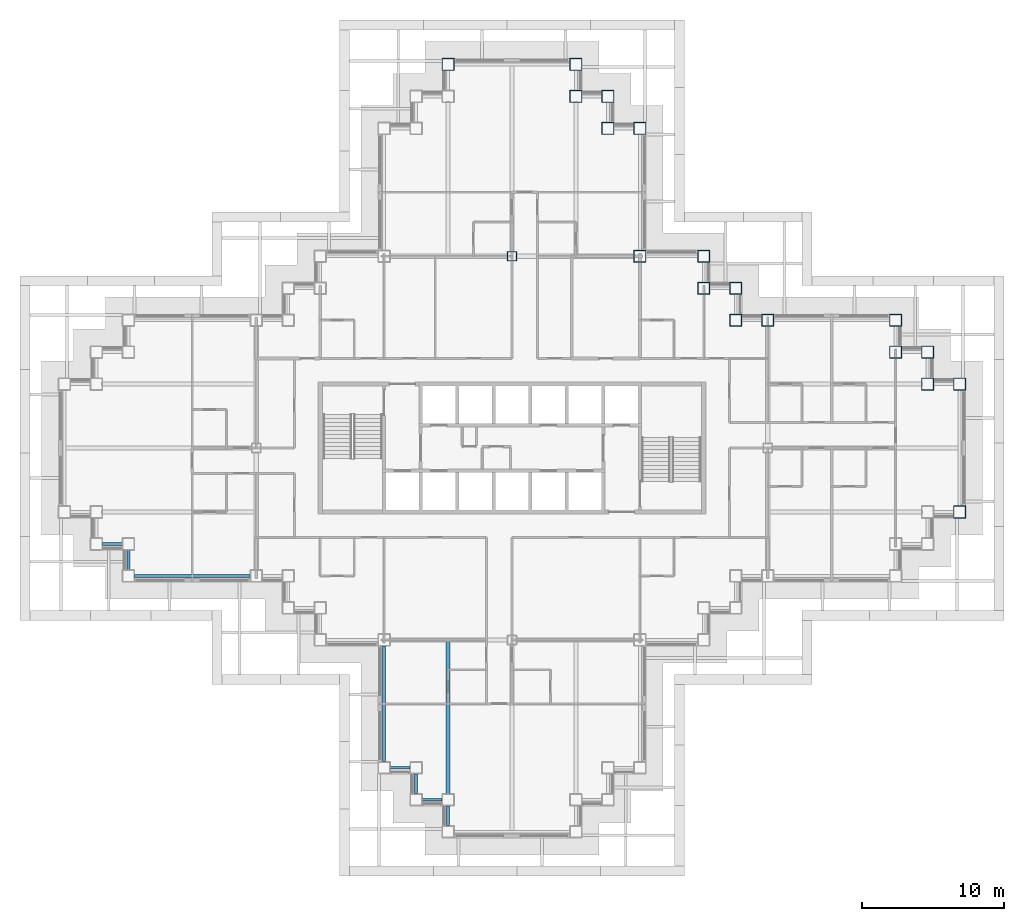
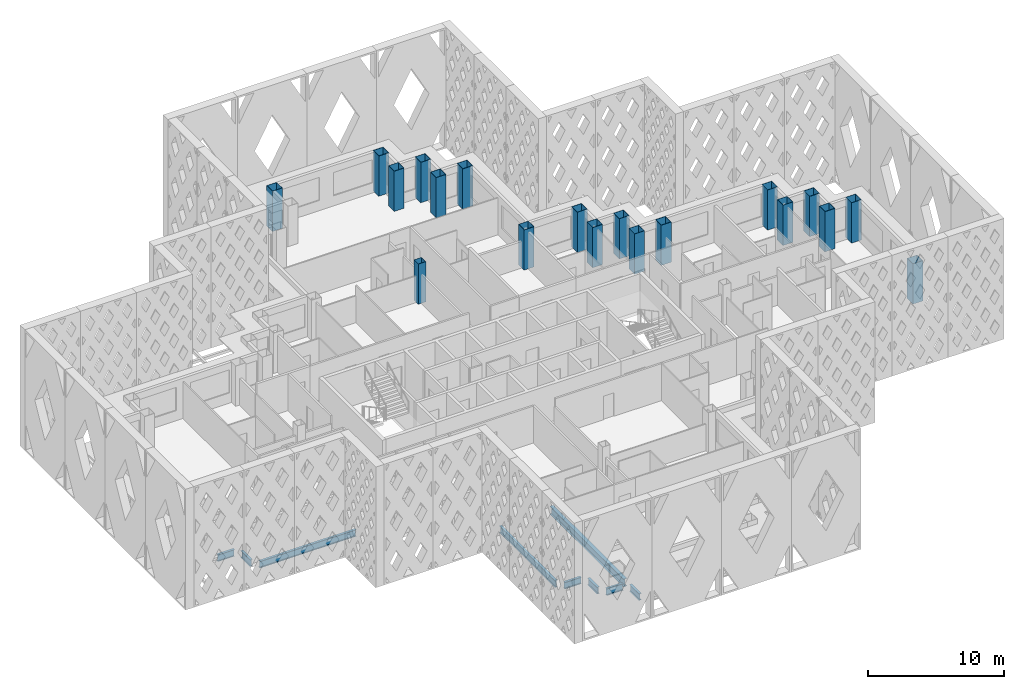
# One storey, part 2 of 21: 19 columns, 9 beams.
"""IFC4 building model written with IfcOpenShell, lengths in metres."""

from ifc_helpers import new_model, si_unit, direction, frame, origin, origin_2d, place, context, subcontext, project, spatial, hollow_rectangle, i_section, extrude, material, material_profile, profile_set, type_object, element, save


model = new_model("IFC4")

# Units and contexts
model_context = context("Model", 3, precision=1e-05, world=origin(), true_north=direction((0.0, 1.0)))
body_context = subcontext(model_context, "Body", "Model", "MODEL_VIEW")
ifc_project = project(units=[si_unit("LENGTHUNIT", "METRE"), si_unit("AREAUNIT", "SQUARE_METRE"), si_unit("VOLUMEUNIT", "CUBIC_METRE"), si_unit("PLANEANGLEUNIT", "RADIAN"), si_unit("MASSUNIT", "GRAM", prefix="KILO")], contexts=[model_context])

# Site, building, storey
site_placement = place(None, origin())
site = spatial("IfcSite", under=ifc_project, at=site_placement, CompositionType="ELEMENT")
building_placement = place(site_placement, origin())
building = spatial("IfcBuilding", under=site, at=building_placement, Name="Caravel Reach Hotel and Residences", CompositionType="ELEMENT")
storey_placement = place(building_placement, frame((0.0, 0.0, 129.60009765625)))
storey = spatial("IfcBuildingStorey", under=building, at=storey_placement, Name="L32", CompositionType="ELEMENT", Elevation=129.60009765625)

# Columns
ifc_material_1 = material(Name="Concrete-filled steel tube Q390B with Concrete C70 infill", Category="concrete")
ifc_material_profile_1 = material_profile(ifc_material_1, hollow_rectangle(XDim=0.64990234375, YDim=0.64990234375, WallThickness=0.02099609375, at=origin_2d()), Name="RHS 650x650x21")
ifc_profile_set_1 = profile_set([ifc_material_profile_1], Name="Concrete-filled steel tube Q390B with Concrete C70 infill")
column_type_1 = type_object("IfcColumnType", Name="CFT 650x650 Q390B C70", PredefinedType="COLUMN", material=ifc_profile_set_1)
column_placement = place(storey_placement, frame((31.5, 40.5, 0.0), z_axis=(0.0, 0.0, 1.0), x_axis=(1.0, 0.0, 0.0)))
element("IfcColumn", 1, at=column_placement, inside=storey, type_object=column_type_1, Name="C17 column", PredefinedType="COLUMN", context=body_context, shape_type="SweptSolid", body=[
    extrude(hollow_rectangle(XDim=0.64990234375, YDim=0.64990234375, WallThickness=0.02099609375, at=origin_2d()), origin(), (0.0, 0.0, 1.0), 3.599853515625),
])
ifc_material_2 = material(Name="Concrete-filled steel tube Q390B with Concrete C70 infill", Category="concrete")
ifc_material_profile_2 = material_profile(ifc_material_2, hollow_rectangle(XDim=0.85009765625, YDim=0.85009765625, WallThickness=0.02587890625, at=origin_2d()), Name="RHS 850x850x26")
ifc_profile_set_2 = profile_set([ifc_material_profile_2], Name="Concrete-filled steel tube Q390B with Concrete C70 infill")
column_type_2 = type_object("IfcColumnType", Name="CFT 850x850 Q390B C70", PredefinedType="COLUMN", material=ifc_profile_set_2)
for number, where, z_axis, x_axis, name in (
    (2, (63.0, 22.5, 0.0), (0.0, 0.0, 1.0), (1.0, 0.0, 0.0), "C13 column"),
    (3, (63.0, 31.5, 0.0), (0.0, 0.0, 1.0), (1.0, 0.0, 0.0), "C13 column"),
    (4, (60.75, 31.5, 0.0), (0.0, 0.0, 1.0), (1.0, 0.0, 0.0), "C13 column"),
    (5, (60.75, 33.75, 0.0), (0.0, 0.0, 1.0), (1.0, 0.0, 0.0), "C13 column"),
    (6, (58.5, 33.75, 0.0), (0.0, 0.0, 1.0), (1.0, 0.0, 0.0), "C13 column"),
    (7, (58.5, 36.0, 0.0), (0.0, 0.0, 1.0), (1.0, 0.0, 0.0), "C13 column"),
    (8, (49.5, 36.0, 0.0), (0.0, 0.0, 1.0), (1.0, 0.0, 0.0), "C13 column"),
    (9, (47.25, 36.0, 0.0), (0.0, 0.0, 1.0), (1.0, 0.0, 0.0), "C13 column"),
    (10, (47.25, 38.25, 0.0), (0.0, 0.0, 1.0), (1.0, 0.0, 0.0), "C13 column"),
    (11, (45.0, 38.25, 0.0), (0.0, 0.0, 1.0), (1.0, 0.0, 0.0), "C13 column"),
    (12, (45.0, 40.5, 0.0), (0.0, 0.0, 1.0), (1.0, 0.0, 0.0), "C13 column"),
    (13, (40.5, 40.5, 0.0), (0.0, 0.0, 1.0), (1.0, 0.0, 0.0), "C13 column"),
    (14, (40.5, 49.5, 0.0), (0.0, 0.0, 1.0), (1.0, 0.0, 0.0), "C13 column"),
    (15, (38.25, 49.5, 0.0), (0.0, 0.0, 1.0), (1.0, 0.0, 0.0), "C13 column"),
    (16, (38.25, 51.75, 0.0), (0.0, 0.0, 1.0), (1.0, 0.0, 0.0), "C13 column"),
    (17, (36.0, 51.75, 0.0), (0.0, 0.0, 1.0), (1.0, 0.0, 0.0), "C13 column"),
    (18, (36.0, 54.0, 0.0), (0.0, 0.0, 1.0), (1.0, 0.0, 0.0), "C13 column"),
    (19, (27.0, 54.0, 0.0), (0.0, 0.0, 1.0), (1.0, 0.0, 0.0), "C13 column"),
):
    element("IfcColumn", number, at=place(storey_placement, frame(where, z_axis=z_axis, x_axis=x_axis)), inside=storey, type_object=column_type_2, Name=name, PredefinedType="COLUMN", context=body_context, shape_type="SweptSolid", body=[
        extrude(hollow_rectangle(XDim=0.85009765625, YDim=0.85009765625, WallThickness=0.02587890625, at=origin_2d()), origin(), (0.0, 0.0, 1.0), 3.599853515625),
    ])

# Beams
ifc_material_3 = material(Name="Structural steel Q355B", Category="steel")
ifc_material_profile_3 = material_profile(ifc_material_3, i_section(OverallWidth=0.300048828125, OverallDepth=0.699951171875, WebThickness=0.012939453125, FlangeThickness=0.02392578125, FilletRadius=0.01806640625, at=origin_2d()), Name="HN 700x300x13x24")
ifc_profile_set_3 = profile_set([ifc_material_profile_3], Name="Structural steel Q355B")
beam_type_1 = type_object("IfcBeamType", Name="Beam HN 700x300x13x24", PredefinedType="BEAM", material=ifc_profile_set_3)
beam_placement = place(storey_placement, frame((27.0, 13.39990234375, -0.650146484375), z_axis=(0.0, -1.0, 0.0), x_axis=(1.0, 0.0, 0.0)))
element("IfcBeam", 20, at=beam_placement, inside=storey, type_object=beam_type_1, Name="B2 HN 700x300x13x24", PredefinedType="BEAM", context=body_context, shape_type="SweptSolid", body=[
    extrude(i_section(OverallWidth=0.300048828125, OverallDepth=0.699951171875, WebThickness=0.012939453125, FlangeThickness=0.02392578125, FilletRadius=0.01806640625, at=origin_2d()), origin(), (0.0, 0.0, 1.0), 10.77490234375),
])
ifc_material_4 = material(Name="Structural steel Q355B", Category="steel")
ifc_material_profile_4 = material_profile(ifc_material_4, i_section(OverallWidth=0.199951171875, OverallDepth=0.60009765625, WebThickness=0.010986328125, FlangeThickness=0.01708984375, FilletRadius=0.012939453125, at=origin_2d()), Name="HN 600x200x11x17")
ifc_profile_set_4 = profile_set([ifc_material_profile_4], Name="Structural steel Q355B")
beam_type_2 = type_object("IfcBeamType", Name="Spandrel beam HN 600x200x11x17", PredefinedType="SPANDREL", material=ifc_profile_set_4)
for number, where, z_axis, x_axis, name in (
    (21, (22.925048828125, 4.5, -0.60009765625), (1.0, 0.0, 0.0), (0.0, 1.0, 0.0), "SP1 HN 600x200x11x17"),
    (22, (24.75, 4.074951171875, -0.60009765625), (0.0, -1.0, 0.0), (1.0, 0.0, 0.0), "SP1 HN 600x200x11x17"),
    (23, (25.175048828125, 2.25, -0.60009765625), (1.0, 0.0, 0.0), (0.0, 1.0, 0.0), "SP1 HN 600x200x11x17"),
    (24, (27.0, 1.824951171875, -0.60009765625), (0.0, -1.0, 0.0), (1.0, 0.0, 0.0), "SP1 HN 600x200x11x17"),
    (25, (2.675048828125, 20.25, -0.60009765625), (1.0, 0.0, 0.0), (0.0, 1.0, 0.0), "SP1 HN 600x200x11x17"),
    (26, (4.5, 19.824951171875, -0.60009765625), (0.0, -1.0, 0.0), (1.0, 0.0, 0.0), "SP1 HN 600x200x11x17"),
):
    element("IfcBeam", number, at=place(storey_placement, frame(where, z_axis=z_axis, x_axis=x_axis)), inside=storey, type_object=beam_type_2, Name=name, PredefinedType="SPANDREL", context=body_context, shape_type="SweptSolid", body=[
        extrude(i_section(OverallWidth=0.199951171875, OverallDepth=0.60009765625, WebThickness=0.010986328125, FlangeThickness=0.01708984375, FilletRadius=0.012939453125, at=origin_2d()), origin(), (0.0, 0.0, 1.0), 1.39990234375),
    ])
for number, where, z_axis, x_axis, name in (
    (27, (4.925048828125, 18.0, -0.60009765625), (1.0, 0.0, 0.0), (0.0, 1.0, 0.0), "SP1 HN 600x200x11x17"),
    (28, (22.5, 13.074951171875, -0.60009765625), (0.0, -1.0, 0.0), (1.0, 0.0, 0.0), "SP1 HN 600x200x11x17"),
):
    element("IfcBeam", number, at=place(storey_placement, frame(where, z_axis=z_axis, x_axis=x_axis)), inside=storey, type_object=beam_type_2, Name=name, PredefinedType="SPANDREL", context=body_context, shape_type="SweptSolid", body=[
        extrude(i_section(OverallWidth=0.199951171875, OverallDepth=0.60009765625, WebThickness=0.010986328125, FlangeThickness=0.01708984375, FilletRadius=0.012939453125, at=origin_2d()), origin(), (0.0, 0.0, 1.0), 8.14990234375),
    ])

save(model, "model.ifc")
